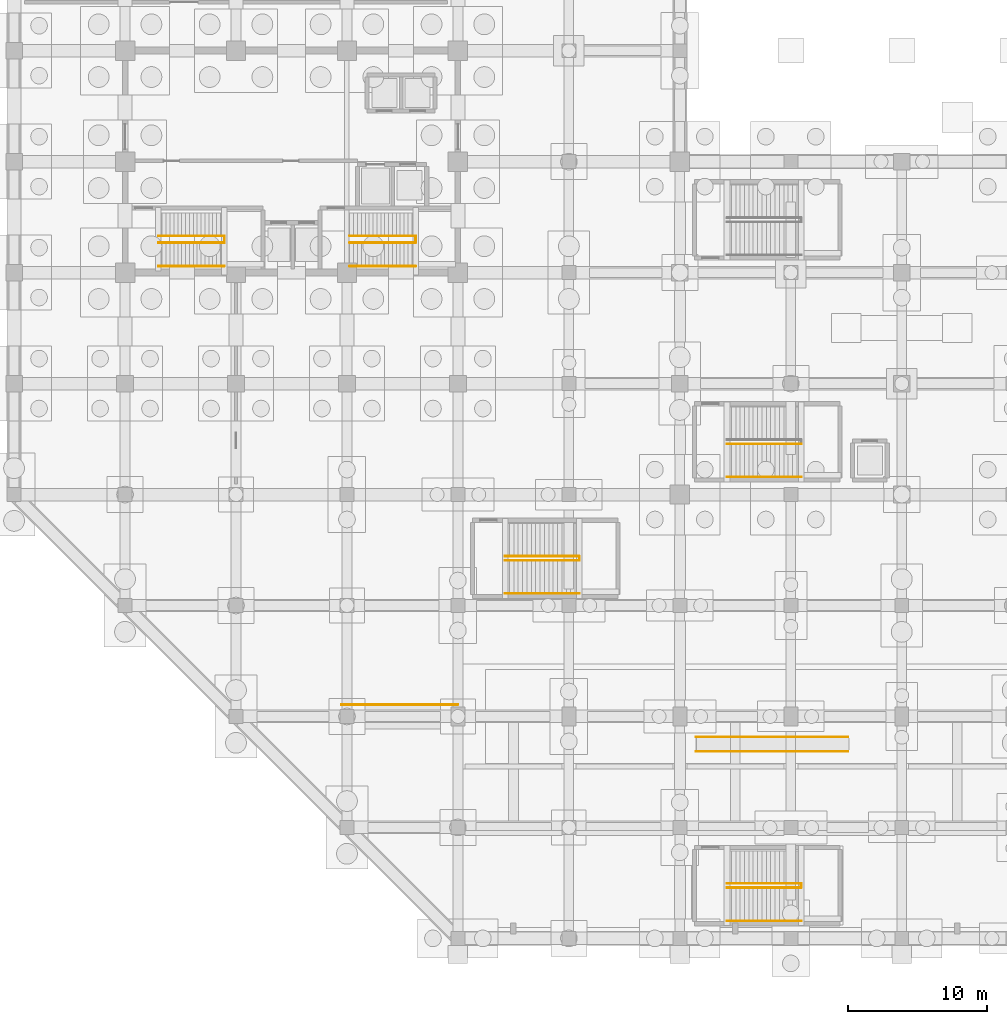
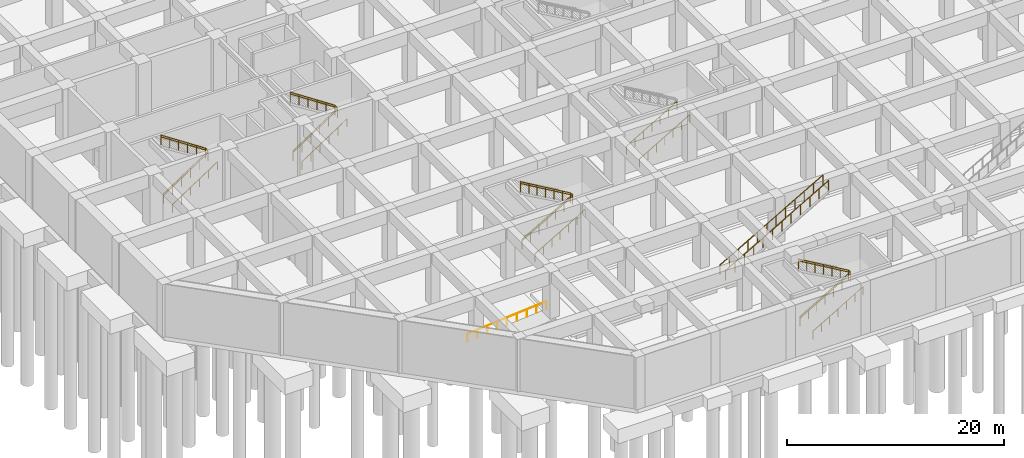
# One storey, part 22 of 26: 25 railings.
"""IFC4 building model written with IfcOpenShell, lengths in metres."""

from ifc_helpers import new_model, si_unit, direction, frame, origin, origin_2d, place, context, subcontext, project, spatial, circle, extrude, material, type_object, element, save


model = new_model("IFC4")

# Units and contexts
model_context = context("Model", 3, precision=1e-05, world=origin(), true_north=direction((0.0, 1.0)))
body_context = subcontext(model_context, "Body", "Model", "MODEL_VIEW")
ifc_project = project(units=[si_unit("LENGTHUNIT", "METRE"), si_unit("AREAUNIT", "SQUARE_METRE"), si_unit("VOLUMEUNIT", "CUBIC_METRE"), si_unit("PLANEANGLEUNIT", "RADIAN"), si_unit("MASSUNIT", "GRAM", prefix="KILO")], contexts=[model_context])

# Site, building, storey
site_placement = place(None, origin())
site = spatial("IfcSite", under=ifc_project, at=site_placement, CompositionType="ELEMENT")
building_placement = place(site_placement, origin())
building = spatial("IfcBuilding", under=site, at=building_placement, Name="Varnela Railside Interchange", CompositionType="ELEMENT")
storey_placement = place(building_placement, frame((0.0, 0.0, -12.60009765625)))
storey = spatial("IfcBuildingStorey", under=building, at=storey_placement, Name="B2", CompositionType="ELEMENT", Elevation=-12.60009765625)

# Railings
ifc_material_1 = material(Name="Glass laminated double", Category="glass")
railing_type_1 = type_object("IfcRailingType", Name="Concourse Atrium Balustrade BL-01", PredefinedType="BALUSTRADE", material=ifc_material_1)
railing_1_placement = place(storey_placement, frame((53.14990234375, 19.47998046875, 0.0)))
element("IfcRailing", 1, at=railing_1_placement, inside=storey, type_object=railing_type_1, Name="Escalator Inclined Balustrade ES1-S (RL-0030)", PredefinedType="BALUSTRADE", context=body_context, shape_type="SweptSolid", body=[
    extrude(circle(Radius=0.02392578125, at=origin_2d()), frame((0.0, 0.0, 1.09619140625), z_axis=(0.867173461285, 0.0, 0.498006212856), x_axis=(0.0, 1.0, 0.0)), (0.0, 0.0, 1.0), 12.650634765625),
    extrude(circle(Radius=0.02099609375, at=origin_2d()), origin(), (0.0, 0.0, 1.0), 1.072021484375),
    extrude(circle(Radius=0.02099609375, at=origin_2d()), frame((0.997314453125, 0.0, 0.57275390625)), (0.0, 0.0, 1.0), 1.072021484375),
    extrude(circle(Radius=0.02099609375, at=origin_2d()), frame((1.99462890625, 0.0, 1.1455078125)), (0.0, 0.0, 1.0), 1.072021484375),
    extrude(circle(Radius=0.02099609375, at=origin_2d()), frame((2.991943359375, 0.0, 1.71826171875)), (0.0, 0.0, 1.0), 1.072021484375),
    extrude(circle(Radius=0.02099609375, at=origin_2d()), frame((3.9892578125, 0.0, 2.291015625)), (0.0, 0.0, 1.0), 1.072021484375),
    extrude(circle(Radius=0.02099609375, at=origin_2d()), frame((4.986572265625, 0.0, 2.86376953125)), (0.0, 0.0, 1.0), 1.072021484375),
    extrude(circle(Radius=0.02099609375, at=origin_2d()), frame((5.983642578125, 0.0, 3.436279296875)), (0.0, 0.0, 1.0), 1.072021484375),
    extrude(circle(Radius=0.02099609375, at=origin_2d()), frame((6.98095703125, 0.0, 4.009033203125)), (0.0, 0.0, 1.0), 1.072021484375),
    extrude(circle(Radius=0.02099609375, at=origin_2d()), frame((7.978271484375, 0.0, 4.581787109375)), (0.0, 0.0, 1.0), 1.072021484375),
    extrude(circle(Radius=0.02099609375, at=origin_2d()), frame((8.9755859375, 0.0, 5.154541015625)), (0.0, 0.0, 1.0), 1.072021484375),
    extrude(circle(Radius=0.02099609375, at=origin_2d()), frame((9.972900390625, 0.0, 5.727294921875)), (0.0, 0.0, 1.0), 1.072021484375),
    extrude(circle(Radius=0.02099609375, at=origin_2d()), frame((10.97021484375, 0.0, 6.300048828125)), (0.0, 0.0, 1.0), 1.072021484375),
])
railing_2_placement = place(storey_placement, frame((53.14990234375, 20.52001953125, 0.0)))
element("IfcRailing", 2, at=railing_2_placement, inside=storey, type_object=railing_type_1, Name="Escalator Inclined Balustrade ES1-N (RL-0029)", PredefinedType="BALUSTRADE", context=body_context, shape_type="SweptSolid", body=[
    extrude(circle(Radius=0.02392578125, at=origin_2d()), frame((0.0, 0.0, 1.09619140625), z_axis=(0.867173461285, 0.0, 0.498006212856), x_axis=(0.0, 1.0, 0.0)), (0.0, 0.0, 1.0), 12.650634765625),
    extrude(circle(Radius=0.02099609375, at=origin_2d()), origin(), (0.0, 0.0, 1.0), 1.072021484375),
    extrude(circle(Radius=0.02099609375, at=origin_2d()), frame((0.997314453125, 0.0, 0.57275390625)), (0.0, 0.0, 1.0), 1.072021484375),
    extrude(circle(Radius=0.02099609375, at=origin_2d()), frame((1.99462890625, 0.0, 1.1455078125)), (0.0, 0.0, 1.0), 1.072021484375),
    extrude(circle(Radius=0.02099609375, at=origin_2d()), frame((2.991943359375, 0.0, 1.71826171875)), (0.0, 0.0, 1.0), 1.072021484375),
    extrude(circle(Radius=0.02099609375, at=origin_2d()), frame((3.9892578125, 0.0, 2.291015625)), (0.0, 0.0, 1.0), 1.072021484375),
    extrude(circle(Radius=0.02099609375, at=origin_2d()), frame((4.986572265625, 0.0, 2.86376953125)), (0.0, 0.0, 1.0), 1.072021484375),
    extrude(circle(Radius=0.02099609375, at=origin_2d()), frame((5.983642578125, 0.0, 3.436279296875)), (0.0, 0.0, 1.0), 1.072021484375),
    extrude(circle(Radius=0.02099609375, at=origin_2d()), frame((6.98095703125, 0.0, 4.009033203125)), (0.0, 0.0, 1.0), 1.072021484375),
    extrude(circle(Radius=0.02099609375, at=origin_2d()), frame((7.978271484375, 0.0, 4.581787109375)), (0.0, 0.0, 1.0), 1.072021484375),
    extrude(circle(Radius=0.02099609375, at=origin_2d()), frame((8.9755859375, 0.0, 5.154541015625)), (0.0, 0.0, 1.0), 1.072021484375),
    extrude(circle(Radius=0.02099609375, at=origin_2d()), frame((9.972900390625, 0.0, 5.727294921875)), (0.0, 0.0, 1.0), 1.072021484375),
    extrude(circle(Radius=0.02099609375, at=origin_2d()), frame((10.97021484375, 0.0, 6.300048828125)), (0.0, 0.0, 1.0), 1.072021484375),
])
ifc_material_2 = material(Name="Steel AR 350 (350 MPa)", Category="steel")
railing_type_2 = type_object("IfcRailingType", Name="Stair & Ramp Pitch Handrail HR-01", PredefinedType="HANDRAIL", material=ifc_material_2)
railing_3_placement = place(storey_placement, frame((14.39990234375, 56.14990234375, 0.0)))
element("IfcRailing", 3, at=railing_3_placement, inside=storey, type_object=railing_type_2, Name="Stair Handrail ST-T1 Flight 1 (RL-0057)", PredefinedType="HANDRAIL", context=body_context, shape_type="SweptSolid", body=[
    extrude(circle(Radius=0.02392578125, at=origin_2d()), frame((0.0, 0.0, 0.89599609375), z_axis=(0.83392091597, 0.0, 0.551883960546), x_axis=(0.0, 1.0, 0.0)), (0.0, 0.0, 1.0), 5.7080078125),
    extrude(circle(Radius=0.02099609375, at=origin_2d()), origin(), (0.0, 0.0, 1.0), 0.871826171875),
    extrude(circle(Radius=0.02099609375, at=origin_2d()), frame((0.951904296875, 0.0, 0.630126953125)), (0.0, 0.0, 1.0), 0.871826171875),
    extrude(circle(Radius=0.02099609375, at=origin_2d()), frame((1.904052734375, 0.0, 1.260009765625)), (0.0, 0.0, 1.0), 0.871826171875),
    extrude(circle(Radius=0.02099609375, at=origin_2d()), frame((2.85595703125, 0.0, 1.89013671875)), (0.0, 0.0, 1.0), 0.871826171875),
    extrude(circle(Radius=0.02099609375, at=origin_2d()), frame((3.80810546875, 0.0, 2.52001953125)), (0.0, 0.0, 1.0), 0.871826171875),
    extrude(circle(Radius=0.02099609375, at=origin_2d()), frame((4.760009765625, 0.0, 3.150146484375)), (0.0, 0.0, 1.0), 0.871826171875),
])
railing_4_placement = place(storey_placement, frame((19.159912109375, 56.64990234375, 3.150146484375)))
element("IfcRailing", 4, at=railing_4_placement, inside=storey, type_object=railing_type_2, Name="Stair Handrail ST-T1 Flight 2 (RL-0058)", PredefinedType="HANDRAIL", context=body_context, shape_type="SweptSolid", body=[
    extrude(circle(Radius=0.02392578125, at=origin_2d()), frame((0.0, 0.0, 0.89599609375), z_axis=(-0.833940600646, 0.0, 0.551854214983), x_axis=(0.0, -1.0, 0.0)), (0.0, 0.0, 1.0), 5.707763671875),
    extrude(circle(Radius=0.02099609375, at=origin_2d()), origin(), (0.0, 0.0, 1.0), 0.871826171875),
    extrude(circle(Radius=0.02099609375, at=origin_2d()), frame((-0.951904296875, 0.0, 0.6298828125)), (0.0, 0.0, 1.0), 0.871826171875),
    extrude(circle(Radius=0.02099609375, at=origin_2d()), frame((-1.904052734375, 0.0, 1.260009765625)), (0.0, 0.0, 1.0), 0.871826171875),
    extrude(circle(Radius=0.02099609375, at=origin_2d()), frame((-2.85595703125, 0.0, 1.889892578125)), (0.0, 0.0, 1.0), 0.871826171875),
    extrude(circle(Radius=0.02099609375, at=origin_2d()), frame((-3.80810546875, 0.0, 2.52001953125)), (0.0, 0.0, 1.0), 0.871826171875),
    extrude(circle(Radius=0.02099609375, at=origin_2d()), frame((-4.760009765625, 0.0, 3.14990234375)), (0.0, 0.0, 1.0), 0.871826171875),
])
railing_5_placement = place(storey_placement, frame((28.199951171875, 56.14990234375, 0.0)))
element("IfcRailing", 5, at=railing_5_placement, inside=storey, type_object=railing_type_2, Name="Stair Handrail ST-T2 Flight 1 (RL-0059)", PredefinedType="HANDRAIL", context=body_context, shape_type="SweptSolid", body=[
    extrude(circle(Radius=0.02392578125, at=origin_2d()), frame((0.0, 0.0, 0.89599609375), z_axis=(0.83392091597, 0.0, 0.551883960546), x_axis=(0.0, 1.0, 0.0)), (0.0, 0.0, 1.0), 5.7080078125),
    extrude(circle(Radius=0.02099609375, at=origin_2d()), origin(), (0.0, 0.0, 1.0), 0.871826171875),
    extrude(circle(Radius=0.02099609375, at=origin_2d()), frame((0.951904296875, 0.0, 0.630126953125)), (0.0, 0.0, 1.0), 0.871826171875),
    extrude(circle(Radius=0.02099609375, at=origin_2d()), frame((1.904052734375, 0.0, 1.260009765625)), (0.0, 0.0, 1.0), 0.871826171875),
    extrude(circle(Radius=0.02099609375, at=origin_2d()), frame((2.85595703125, 0.0, 1.89013671875)), (0.0, 0.0, 1.0), 0.871826171875),
    extrude(circle(Radius=0.02099609375, at=origin_2d()), frame((3.80810546875, 0.0, 2.52001953125)), (0.0, 0.0, 1.0), 0.871826171875),
    extrude(circle(Radius=0.02099609375, at=origin_2d()), frame((4.760009765625, 0.0, 3.150146484375)), (0.0, 0.0, 1.0), 0.871826171875),
])
railing_6_placement = place(storey_placement, frame((32.9599609375, 56.64990234375, 3.150146484375)))
element("IfcRailing", 6, at=railing_6_placement, inside=storey, type_object=railing_type_2, Name="Stair Handrail ST-T2 Flight 2 (RL-0060)", PredefinedType="HANDRAIL", context=body_context, shape_type="SweptSolid", body=[
    extrude(circle(Radius=0.02392578125, at=origin_2d()), frame((0.0, 0.0, 0.89599609375), z_axis=(-0.833940600646, 0.0, 0.551854214983), x_axis=(0.0, -1.0, 0.0)), (0.0, 0.0, 1.0), 5.707763671875),
    extrude(circle(Radius=0.02099609375, at=origin_2d()), origin(), (0.0, 0.0, 1.0), 0.871826171875),
    extrude(circle(Radius=0.02099609375, at=origin_2d()), frame((-0.951904296875, 0.0, 0.6298828125)), (0.0, 0.0, 1.0), 0.871826171875),
    extrude(circle(Radius=0.02099609375, at=origin_2d()), frame((-1.904052734375, 0.0, 1.260009765625)), (0.0, 0.0, 1.0), 0.871826171875),
    extrude(circle(Radius=0.02099609375, at=origin_2d()), frame((-2.85595703125, 0.0, 1.889892578125)), (0.0, 0.0, 1.0), 0.871826171875),
    extrude(circle(Radius=0.02099609375, at=origin_2d()), frame((-3.80810546875, 0.0, 2.52001953125)), (0.0, 0.0, 1.0), 0.871826171875),
    extrude(circle(Radius=0.02099609375, at=origin_2d()), frame((-4.760009765625, 0.0, 3.14990234375)), (0.0, 0.0, 1.0), 0.871826171875),
])
for number, where, name in (
    (7, (55.39990234375, 41.64990234375, 0.0), "Stair Handrail ST-C1 Flight 1 (RL-0035)"),
    (8, (39.39990234375, 33.25, 0.0), "Stair Handrail ST-M1 Flight 1 (RL-0049)"),
):
    element("IfcRailing", number, at=place(storey_placement, frame(where)), inside=storey, type_object=railing_type_2, Name=name, PredefinedType="HANDRAIL", context=body_context, shape_type="SweptSolid", body=[
        extrude(circle(Radius=0.02392578125, at=origin_2d()), frame((0.0, 0.0, 0.89599609375), z_axis=(0.861923102912, 0.0, 0.507039016908), x_axis=(0.0, 1.0, 0.0)), (0.0, 0.0, 1.0), 6.212890625),
        extrude(circle(Radius=0.02099609375, at=origin_2d()), origin(), (0.0, 0.0, 1.0), 0.871826171875),
        extrude(circle(Radius=0.02099609375, at=origin_2d()), frame((0.892578125, 0.0, 0.52490234375)), (0.0, 0.0, 1.0), 0.871826171875),
        extrude(circle(Radius=0.02099609375, at=origin_2d()), frame((1.784912109375, 0.0, 1.050048828125)), (0.0, 0.0, 1.0), 0.871826171875),
        extrude(circle(Radius=0.02099609375, at=origin_2d()), frame((2.677490234375, 0.0, 1.5751953125)), (0.0, 0.0, 1.0), 0.871826171875),
        extrude(circle(Radius=0.02099609375, at=origin_2d()), frame((3.570068359375, 0.0, 2.10009765625)), (0.0, 0.0, 1.0), 0.871826171875),
        extrude(circle(Radius=0.02099609375, at=origin_2d()), frame((4.46240234375, 0.0, 2.625)), (0.0, 0.0, 1.0), 0.871826171875),
        extrude(circle(Radius=0.02099609375, at=origin_2d()), frame((5.35498046875, 0.0, 3.150146484375)), (0.0, 0.0, 1.0), 0.871826171875),
    ])
railing_7_placement = place(storey_placement, frame((44.7548828125, 33.550048828125, 3.150146484375)))
element("IfcRailing", 9, at=railing_7_placement, inside=storey, type_object=railing_type_2, Name="Stair Handrail ST-M1 Flight 2 (RL-0050)", PredefinedType="HANDRAIL", context=body_context, shape_type="SweptSolid", body=[
    extrude(circle(Radius=0.02392578125, at=origin_2d()), frame((0.0, 0.0, 0.89599609375), z_axis=(-0.861940276329, 0.0, 0.507009822431), x_axis=(0.0, -1.0, 0.0)), (0.0, 0.0, 1.0), 6.212646484375),
    extrude(circle(Radius=0.02099609375, at=origin_2d()), origin(), (0.0, 0.0, 1.0), 0.871826171875),
    extrude(circle(Radius=0.02099609375, at=origin_2d()), frame((-0.892578125, 0.0, 0.52490234375)), (0.0, 0.0, 1.0), 0.871826171875),
    extrude(circle(Radius=0.02099609375, at=origin_2d()), frame((-1.784912109375, 0.0, 1.050048828125)), (0.0, 0.0, 1.0), 0.871826171875),
    extrude(circle(Radius=0.02099609375, at=origin_2d()), frame((-2.677490234375, 0.0, 1.574951171875)), (0.0, 0.0, 1.0), 0.871826171875),
    extrude(circle(Radius=0.02099609375, at=origin_2d()), frame((-3.570068359375, 0.0, 2.099853515625)), (0.0, 0.0, 1.0), 0.871826171875),
    extrude(circle(Radius=0.02099609375, at=origin_2d()), frame((-4.46240234375, 0.0, 2.625)), (0.0, 0.0, 1.0), 0.871826171875),
    extrude(circle(Radius=0.02099609375, at=origin_2d()), frame((-5.35498046875, 0.0, 3.14990234375)), (0.0, 0.0, 1.0), 0.871826171875),
])
railing_8_placement = place(storey_placement, frame((55.39990234375, 9.64990234375, 0.0)))
element("IfcRailing", 10, at=railing_8_placement, inside=storey, type_object=railing_type_2, Name="Stair Handrail ST-M3 Flight 1 (RL-0053)", PredefinedType="HANDRAIL", context=body_context, shape_type="SweptSolid", body=[
    extrude(circle(Radius=0.02392578125, at=origin_2d()), frame((0.0, 0.0, 0.89599609375), z_axis=(0.861923102912, 0.0, 0.507039016908), x_axis=(0.0, 1.0, 0.0)), (0.0, 0.0, 1.0), 6.212890625),
    extrude(circle(Radius=0.02099609375, at=origin_2d()), origin(), (0.0, 0.0, 1.0), 0.871826171875),
    extrude(circle(Radius=0.02099609375, at=origin_2d()), frame((0.892578125, 0.0, 0.52490234375)), (0.0, 0.0, 1.0), 0.871826171875),
    extrude(circle(Radius=0.02099609375, at=origin_2d()), frame((1.784912109375, 0.0, 1.050048828125)), (0.0, 0.0, 1.0), 0.871826171875),
    extrude(circle(Radius=0.02099609375, at=origin_2d()), frame((2.677490234375, 0.0, 1.5751953125)), (0.0, 0.0, 1.0), 0.871826171875),
    extrude(circle(Radius=0.02099609375, at=origin_2d()), frame((3.570068359375, 0.0, 2.10009765625)), (0.0, 0.0, 1.0), 0.871826171875),
    extrude(circle(Radius=0.02099609375, at=origin_2d()), frame((4.46240234375, 0.0, 2.625)), (0.0, 0.0, 1.0), 0.871826171875),
    extrude(circle(Radius=0.02099609375, at=origin_2d()), frame((5.35498046875, 0.0, 3.150146484375)), (0.0, 0.0, 1.0), 0.871826171875),
])
railing_9_placement = place(storey_placement, frame((60.7548828125, 9.949951171875, 3.150146484375)))
element("IfcRailing", 11, at=railing_9_placement, inside=storey, type_object=railing_type_2, Name="Stair Handrail ST-M3 Flight 2 (RL-0054)", PredefinedType="HANDRAIL", context=body_context, shape_type="SweptSolid", body=[
    extrude(circle(Radius=0.02392578125, at=origin_2d()), frame((0.0, 0.0, 0.89599609375), z_axis=(-0.861940276329, 0.0, 0.507009822431), x_axis=(0.0, -1.0, 0.0)), (0.0, 0.0, 1.0), 6.212646484375),
    extrude(circle(Radius=0.02099609375, at=origin_2d()), origin(), (0.0, 0.0, 1.0), 0.871826171875),
    extrude(circle(Radius=0.02099609375, at=origin_2d()), frame((-0.892578125, 0.0, 0.52490234375)), (0.0, 0.0, 1.0), 0.871826171875),
    extrude(circle(Radius=0.02099609375, at=origin_2d()), frame((-1.784912109375, 0.0, 1.050048828125)), (0.0, 0.0, 1.0), 0.871826171875),
    extrude(circle(Radius=0.02099609375, at=origin_2d()), frame((-2.677490234375, 0.0, 1.574951171875)), (0.0, 0.0, 1.0), 0.871826171875),
    extrude(circle(Radius=0.02099609375, at=origin_2d()), frame((-3.570068359375, 0.0, 2.099853515625)), (0.0, 0.0, 1.0), 0.871826171875),
    extrude(circle(Radius=0.02099609375, at=origin_2d()), frame((-4.46240234375, 0.0, 2.625)), (0.0, 0.0, 1.0), 0.871826171875),
    extrude(circle(Radius=0.02099609375, at=origin_2d()), frame((-5.35498046875, 0.0, 3.14990234375)), (0.0, 0.0, 1.0), 0.871826171875),
])
railing_10_placement = place(storey_placement, frame((27.60009765625, 22.85009765625, 0.0)))
element("IfcRailing", 12, at=railing_10_placement, inside=storey, type_object=railing_type_2, Name="Metro Platform Ramp Handrail pltI-W (RL-0064)", PredefinedType="HANDRAIL", context=body_context, shape_type="SweptSolid", body=[
    extrude(circle(Radius=0.02392578125, at=origin_2d()), frame((0.0, 0.0, 0.89599609375), z_axis=(0.996543760423, 0.0, 0.083069450238), x_axis=(0.0, 1.0, 0.0)), (0.0, 0.0, 1.0), 8.428955078125),
    extrude(circle(Radius=0.02099609375, at=origin_2d()), origin(), (0.0, 0.0, 1.0), 0.871826171875),
    extrude(circle(Radius=0.02099609375, at=origin_2d()), frame((1.050048828125, 0.0, 0.08740234375)), (0.0, 0.0, 1.0), 0.871826171875),
    extrude(circle(Radius=0.02099609375, at=origin_2d()), frame((2.10009765625, 0.0, 0.175048828125)), (0.0, 0.0, 1.0), 0.871826171875),
    extrude(circle(Radius=0.02099609375, at=origin_2d()), frame((3.14990234375, 0.0, 0.2626953125)), (0.0, 0.0, 1.0), 0.871826171875),
    extrude(circle(Radius=0.02099609375, at=origin_2d()), frame((4.199951171875, 0.0, 0.35009765625)), (0.0, 0.0, 1.0), 0.871826171875),
    extrude(circle(Radius=0.02099609375, at=origin_2d()), frame((5.25, 0.0, 0.4375)), (0.0, 0.0, 1.0), 0.871826171875),
    extrude(circle(Radius=0.02099609375, at=origin_2d()), frame((6.2998046875, 0.0, 0.525146484375)), (0.0, 0.0, 1.0), 0.871826171875),
    extrude(circle(Radius=0.02099609375, at=origin_2d()), frame((7.349853515625, 0.0, 0.61279296875)), (0.0, 0.0, 1.0), 0.871826171875),
    extrude(circle(Radius=0.02099609375, at=origin_2d()), frame((8.39990234375, 0.0, 0.7001953125)), (0.0, 0.0, 1.0), 0.871826171875),
])
railing_type_3 = type_object("IfcRailingType", Name="Stair Well & Landing Guard GR-02", PredefinedType="GUARDRAIL", material=ifc_material_2)
railing_11_placement = place(storey_placement, frame((14.39990234375, 56.14990234375, 0.0)))
element("IfcRailing", 13, at=railing_11_placement, inside=storey, type_object=railing_type_3, Name="Stair Guard ST-T1 Half-Landing (RL-0023)", PredefinedType="GUARDRAIL", context=body_context, shape_type="SweptSolid", body=[
    extrude(circle(Radius=0.02392578125, at=origin_2d()), frame((0.0, 0.0, 1.09619140625), z_axis=(0.83392091597, 0.0, 0.551883960546), x_axis=(0.0, 1.0, 0.0)), (0.0, 0.0, 1.0), 5.7080078125),
    extrude(circle(Radius=0.02392578125, at=origin_2d()), frame((4.760009765625, 0.0, 4.24609375), z_axis=(0.0, 1.0, 0.0), x_axis=(-1.0, 0.0, 0.0)), (0.0, 0.0, 1.0), 0.5),
    extrude(circle(Radius=0.02099609375, at=origin_2d()), origin(), (0.0, 0.0, 1.0), 1.072021484375),
    extrude(circle(Radius=0.02099609375, at=origin_2d()), frame((0.951904296875, 0.0, 0.630126953125)), (0.0, 0.0, 1.0), 1.072021484375),
    extrude(circle(Radius=0.02099609375, at=origin_2d()), frame((1.904052734375, 0.0, 1.260009765625)), (0.0, 0.0, 1.0), 1.072021484375),
    extrude(circle(Radius=0.02099609375, at=origin_2d()), frame((2.85595703125, 0.0, 1.89013671875)), (0.0, 0.0, 1.0), 1.072021484375),
    extrude(circle(Radius=0.02099609375, at=origin_2d()), frame((3.80810546875, 0.0, 2.52001953125)), (0.0, 0.0, 1.0), 1.072021484375),
    extrude(circle(Radius=0.02099609375, at=origin_2d()), frame((4.760009765625, 0.0, 3.150146484375)), (0.0, 0.0, 1.0), 1.072021484375),
    extrude(circle(Radius=0.02099609375, at=origin_2d()), frame((4.760009765625, 0.5, 3.150146484375)), (0.0, 0.0, 1.0), 1.072021484375),
])
railing_12_placement = place(storey_placement, frame((19.159912109375, 56.64990234375, 3.150146484375)))
element("IfcRailing", 14, at=railing_12_placement, inside=storey, type_object=railing_type_3, Name="Stair Guard ST-T1 Upper Flight (RL-0024)", PredefinedType="GUARDRAIL", context=body_context, shape_type="SweptSolid", body=[
    extrude(circle(Radius=0.02392578125, at=origin_2d()), frame((0.0, 0.0, 1.09619140625), z_axis=(-0.833940600646, 0.0, 0.551854214983), x_axis=(0.0, -1.0, 0.0)), (0.0, 0.0, 1.0), 5.707763671875),
    extrude(circle(Radius=0.02099609375, at=origin_2d()), origin(), (0.0, 0.0, 1.0), 1.072021484375),
    extrude(circle(Radius=0.02099609375, at=origin_2d()), frame((-0.951904296875, 0.0, 0.6298828125)), (0.0, 0.0, 1.0), 1.072021484375),
    extrude(circle(Radius=0.02099609375, at=origin_2d()), frame((-1.904052734375, 0.0, 1.260009765625)), (0.0, 0.0, 1.0), 1.072021484375),
    extrude(circle(Radius=0.02099609375, at=origin_2d()), frame((-2.85595703125, 0.0, 1.889892578125)), (0.0, 0.0, 1.0), 1.072021484375),
    extrude(circle(Radius=0.02099609375, at=origin_2d()), frame((-3.80810546875, 0.0, 2.52001953125)), (0.0, 0.0, 1.0), 1.072021484375),
    extrude(circle(Radius=0.02099609375, at=origin_2d()), frame((-4.760009765625, 0.0, 3.14990234375)), (0.0, 0.0, 1.0), 1.072021484375),
])
railing_13_placement = place(storey_placement, frame((28.199951171875, 56.14990234375, 0.0)))
element("IfcRailing", 15, at=railing_13_placement, inside=storey, type_object=railing_type_3, Name="Stair Guard ST-T2 Half-Landing (RL-0025)", PredefinedType="GUARDRAIL", context=body_context, shape_type="SweptSolid", body=[
    extrude(circle(Radius=0.02392578125, at=origin_2d()), frame((0.0, 0.0, 1.09619140625), z_axis=(0.83392091597, 0.0, 0.551883960546), x_axis=(0.0, 1.0, 0.0)), (0.0, 0.0, 1.0), 5.7080078125),
    extrude(circle(Radius=0.02392578125, at=origin_2d()), frame((4.760009765625, 0.0, 4.24609375), z_axis=(0.0, 1.0, 0.0), x_axis=(-1.0, 0.0, 0.0)), (0.0, 0.0, 1.0), 0.5),
    extrude(circle(Radius=0.02099609375, at=origin_2d()), origin(), (0.0, 0.0, 1.0), 1.072021484375),
    extrude(circle(Radius=0.02099609375, at=origin_2d()), frame((0.951904296875, 0.0, 0.630126953125)), (0.0, 0.0, 1.0), 1.072021484375),
    extrude(circle(Radius=0.02099609375, at=origin_2d()), frame((1.904052734375, 0.0, 1.260009765625)), (0.0, 0.0, 1.0), 1.072021484375),
    extrude(circle(Radius=0.02099609375, at=origin_2d()), frame((2.85595703125, 0.0, 1.89013671875)), (0.0, 0.0, 1.0), 1.072021484375),
    extrude(circle(Radius=0.02099609375, at=origin_2d()), frame((3.80810546875, 0.0, 2.52001953125)), (0.0, 0.0, 1.0), 1.072021484375),
    extrude(circle(Radius=0.02099609375, at=origin_2d()), frame((4.760009765625, 0.0, 3.150146484375)), (0.0, 0.0, 1.0), 1.072021484375),
    extrude(circle(Radius=0.02099609375, at=origin_2d()), frame((4.760009765625, 0.5, 3.150146484375)), (0.0, 0.0, 1.0), 1.072021484375),
])
railing_14_placement = place(storey_placement, frame((32.9599609375, 56.64990234375, 3.150146484375)))
element("IfcRailing", 16, at=railing_14_placement, inside=storey, type_object=railing_type_3, Name="Stair Guard ST-T2 Upper Flight (RL-0026)", PredefinedType="GUARDRAIL", context=body_context, shape_type="SweptSolid", body=[
    extrude(circle(Radius=0.02392578125, at=origin_2d()), frame((0.0, 0.0, 1.09619140625), z_axis=(-0.833940600646, 0.0, 0.551854214983), x_axis=(0.0, -1.0, 0.0)), (0.0, 0.0, 1.0), 5.707763671875),
    extrude(circle(Radius=0.02099609375, at=origin_2d()), origin(), (0.0, 0.0, 1.0), 1.072021484375),
    extrude(circle(Radius=0.02099609375, at=origin_2d()), frame((-0.951904296875, 0.0, 0.6298828125)), (0.0, 0.0, 1.0), 1.072021484375),
    extrude(circle(Radius=0.02099609375, at=origin_2d()), frame((-1.904052734375, 0.0, 1.260009765625)), (0.0, 0.0, 1.0), 1.072021484375),
    extrude(circle(Radius=0.02099609375, at=origin_2d()), frame((-2.85595703125, 0.0, 1.889892578125)), (0.0, 0.0, 1.0), 1.072021484375),
    extrude(circle(Radius=0.02099609375, at=origin_2d()), frame((-3.80810546875, 0.0, 2.52001953125)), (0.0, 0.0, 1.0), 1.072021484375),
    extrude(circle(Radius=0.02099609375, at=origin_2d()), frame((-4.760009765625, 0.0, 3.14990234375)), (0.0, 0.0, 1.0), 1.072021484375),
])
railing_15_placement = place(storey_placement, frame((39.39990234375, 33.25, 0.0)))
element("IfcRailing", 17, at=railing_15_placement, inside=storey, type_object=railing_type_3, Name="Stair Guard ST-M1 Half-Landing (RL-0015)", PredefinedType="GUARDRAIL", context=body_context, shape_type="SweptSolid", body=[
    extrude(circle(Radius=0.02392578125, at=origin_2d()), frame((0.0, 0.0, 1.09619140625), z_axis=(0.861923102912, 0.0, 0.507039016908), x_axis=(0.0, 1.0, 0.0)), (0.0, 0.0, 1.0), 6.212890625),
    extrude(circle(Radius=0.02392578125, at=origin_2d()), frame((5.35498046875, 0.0, 4.24609375), z_axis=(0.0, 1.0, 0.0), x_axis=(-1.0, 0.0, 0.0)), (0.0, 0.0, 1.0), 0.300048828125),
    extrude(circle(Radius=0.02099609375, at=origin_2d()), origin(), (0.0, 0.0, 1.0), 1.072021484375),
    extrude(circle(Radius=0.02099609375, at=origin_2d()), frame((0.892578125, 0.0, 0.52490234375)), (0.0, 0.0, 1.0), 1.072021484375),
    extrude(circle(Radius=0.02099609375, at=origin_2d()), frame((1.784912109375, 0.0, 1.050048828125)), (0.0, 0.0, 1.0), 1.072021484375),
    extrude(circle(Radius=0.02099609375, at=origin_2d()), frame((2.677490234375, 0.0, 1.5751953125)), (0.0, 0.0, 1.0), 1.072021484375),
    extrude(circle(Radius=0.02099609375, at=origin_2d()), frame((3.570068359375, 0.0, 2.10009765625)), (0.0, 0.0, 1.0), 1.072021484375),
    extrude(circle(Radius=0.02099609375, at=origin_2d()), frame((4.46240234375, 0.0, 2.625)), (0.0, 0.0, 1.0), 1.072021484375),
    extrude(circle(Radius=0.02099609375, at=origin_2d()), frame((5.35498046875, 0.0, 3.150146484375)), (0.0, 0.0, 1.0), 1.072021484375),
    extrude(circle(Radius=0.02099609375, at=origin_2d()), frame((5.35498046875, 0.300048828125, 3.150146484375)), (0.0, 0.0, 1.0), 1.072021484375),
])
railing_16_placement = place(storey_placement, frame((44.7548828125, 33.550048828125, 3.150146484375)))
element("IfcRailing", 18, at=railing_16_placement, inside=storey, type_object=railing_type_3, Name="Stair Guard ST-M1 Upper Flight (RL-0016)", PredefinedType="GUARDRAIL", context=body_context, shape_type="SweptSolid", body=[
    extrude(circle(Radius=0.02392578125, at=origin_2d()), frame((0.0, 0.0, 1.09619140625), z_axis=(-0.861940276329, 0.0, 0.507009822431), x_axis=(0.0, -1.0, 0.0)), (0.0, 0.0, 1.0), 6.212646484375),
    extrude(circle(Radius=0.02099609375, at=origin_2d()), origin(), (0.0, 0.0, 1.0), 1.072021484375),
    extrude(circle(Radius=0.02099609375, at=origin_2d()), frame((-0.892578125, 0.0, 0.52490234375)), (0.0, 0.0, 1.0), 1.072021484375),
    extrude(circle(Radius=0.02099609375, at=origin_2d()), frame((-1.784912109375, 0.0, 1.050048828125)), (0.0, 0.0, 1.0), 1.072021484375),
    extrude(circle(Radius=0.02099609375, at=origin_2d()), frame((-2.677490234375, 0.0, 1.574951171875)), (0.0, 0.0, 1.0), 1.072021484375),
    extrude(circle(Radius=0.02099609375, at=origin_2d()), frame((-3.570068359375, 0.0, 2.099853515625)), (0.0, 0.0, 1.0), 1.072021484375),
    extrude(circle(Radius=0.02099609375, at=origin_2d()), frame((-4.46240234375, 0.0, 2.625)), (0.0, 0.0, 1.0), 1.072021484375),
    extrude(circle(Radius=0.02099609375, at=origin_2d()), frame((-5.35498046875, 0.0, 3.14990234375)), (0.0, 0.0, 1.0), 1.072021484375),
])
railing_17_placement = place(storey_placement, frame((55.39990234375, 9.64990234375, 0.0)))
element("IfcRailing", 19, at=railing_17_placement, inside=storey, type_object=railing_type_3, Name="Stair Guard ST-M3 Half-Landing (RL-0019)", PredefinedType="GUARDRAIL", context=body_context, shape_type="SweptSolid", body=[
    extrude(circle(Radius=0.02392578125, at=origin_2d()), frame((0.0, 0.0, 1.09619140625), z_axis=(0.861923102912, 0.0, 0.507039016908), x_axis=(0.0, 1.0, 0.0)), (0.0, 0.0, 1.0), 6.212890625),
    extrude(circle(Radius=0.02392578125, at=origin_2d()), frame((5.35498046875, 0.0, 4.24609375), z_axis=(0.0, 1.0, 0.0), x_axis=(-1.0, 0.0, 0.0)), (0.0, 0.0, 1.0), 0.300048828125),
    extrude(circle(Radius=0.02099609375, at=origin_2d()), origin(), (0.0, 0.0, 1.0), 1.072021484375),
    extrude(circle(Radius=0.02099609375, at=origin_2d()), frame((0.892578125, 0.0, 0.52490234375)), (0.0, 0.0, 1.0), 1.072021484375),
    extrude(circle(Radius=0.02099609375, at=origin_2d()), frame((1.784912109375, 0.0, 1.050048828125)), (0.0, 0.0, 1.0), 1.072021484375),
    extrude(circle(Radius=0.02099609375, at=origin_2d()), frame((2.677490234375, 0.0, 1.5751953125)), (0.0, 0.0, 1.0), 1.072021484375),
    extrude(circle(Radius=0.02099609375, at=origin_2d()), frame((3.570068359375, 0.0, 2.10009765625)), (0.0, 0.0, 1.0), 1.072021484375),
    extrude(circle(Radius=0.02099609375, at=origin_2d()), frame((4.46240234375, 0.0, 2.625)), (0.0, 0.0, 1.0), 1.072021484375),
    extrude(circle(Radius=0.02099609375, at=origin_2d()), frame((5.35498046875, 0.0, 3.150146484375)), (0.0, 0.0, 1.0), 1.072021484375),
    extrude(circle(Radius=0.02099609375, at=origin_2d()), frame((5.35498046875, 0.300048828125, 3.150146484375)), (0.0, 0.0, 1.0), 1.072021484375),
])
railing_18_placement = place(storey_placement, frame((60.7548828125, 9.949951171875, 3.150146484375)))
element("IfcRailing", 20, at=railing_18_placement, inside=storey, type_object=railing_type_3, Name="Stair Guard ST-M3 Upper Flight (RL-0020)", PredefinedType="GUARDRAIL", context=body_context, shape_type="SweptSolid", body=[
    extrude(circle(Radius=0.02392578125, at=origin_2d()), frame((0.0, 0.0, 1.09619140625), z_axis=(-0.861940276329, 0.0, 0.507009822431), x_axis=(0.0, -1.0, 0.0)), (0.0, 0.0, 1.0), 6.212646484375),
    extrude(circle(Radius=0.02099609375, at=origin_2d()), origin(), (0.0, 0.0, 1.0), 1.072021484375),
    extrude(circle(Radius=0.02099609375, at=origin_2d()), frame((-0.892578125, 0.0, 0.52490234375)), (0.0, 0.0, 1.0), 1.072021484375),
    extrude(circle(Radius=0.02099609375, at=origin_2d()), frame((-1.784912109375, 0.0, 1.050048828125)), (0.0, 0.0, 1.0), 1.072021484375),
    extrude(circle(Radius=0.02099609375, at=origin_2d()), frame((-2.677490234375, 0.0, 1.574951171875)), (0.0, 0.0, 1.0), 1.072021484375),
    extrude(circle(Radius=0.02099609375, at=origin_2d()), frame((-3.570068359375, 0.0, 2.099853515625)), (0.0, 0.0, 1.0), 1.072021484375),
    extrude(circle(Radius=0.02099609375, at=origin_2d()), frame((-4.46240234375, 0.0, 2.625)), (0.0, 0.0, 1.0), 1.072021484375),
    extrude(circle(Radius=0.02099609375, at=origin_2d()), frame((-5.35498046875, 0.0, 3.14990234375)), (0.0, 0.0, 1.0), 1.072021484375),
])
railing_type_4 = type_object("IfcRailingType", Name="Wall-Mounted Stair Handrail HR-02", PredefinedType="HANDRAIL", material=ifc_material_2)
for number, where, name in (
    (21, (14.39990234375, 54.4599609375, 0.0), "Wall Handrail ST-T1 Flight 1 (RL-0077)"),
    (22, (28.199951171875, 54.4599609375, 0.0), "Wall Handrail ST-T2 Flight 1 (RL-0078)"),
):
    element("IfcRailing", number, at=place(storey_placement, frame(where)), inside=storey, type_object=railing_type_4, Name=name, PredefinedType="HANDRAIL", context=body_context, shape_type="SweptSolid", body=[
        extrude(circle(Radius=0.02392578125, at=origin_2d()), frame((0.0, 0.0, 0.89599609375), z_axis=(0.83392091597, 0.0, 0.551883960546), x_axis=(0.0, 1.0, 0.0)), (0.0, 0.0, 1.0), 5.7080078125),
        extrude(circle(Radius=0.02099609375, at=origin_2d()), origin(), (0.0, 0.0, 1.0), 0.871826171875),
        extrude(circle(Radius=0.02099609375, at=origin_2d()), frame((0.951904296875, 0.0, 0.630126953125)), (0.0, 0.0, 1.0), 0.871826171875),
        extrude(circle(Radius=0.02099609375, at=origin_2d()), frame((1.904052734375, 0.0, 1.260009765625)), (0.0, 0.0, 1.0), 0.871826171875),
        extrude(circle(Radius=0.02099609375, at=origin_2d()), frame((2.85595703125, 0.0, 1.89013671875)), (0.0, 0.0, 1.0), 0.871826171875),
        extrude(circle(Radius=0.02099609375, at=origin_2d()), frame((3.80810546875, 0.0, 2.52001953125)), (0.0, 0.0, 1.0), 0.871826171875),
        extrude(circle(Radius=0.02099609375, at=origin_2d()), frame((4.760009765625, 0.0, 3.150146484375)), (0.0, 0.0, 1.0), 0.871826171875),
    ])
for number, where, name in (
    (23, (55.39990234375, 39.260009765625, 0.0), "Wall Handrail ST-C1 Flight 1 (RL-0066)"),
    (24, (39.39990234375, 30.860107421875, 0.0), "Wall Handrail ST-M1 Flight 1 (RL-0073)"),
    (25, (55.39990234375, 7.260009765625, 0.0), "Wall Handrail ST-M3 Flight 1 (RL-0075)"),
):
    element("IfcRailing", number, at=place(storey_placement, frame(where)), inside=storey, type_object=railing_type_4, Name=name, PredefinedType="HANDRAIL", context=body_context, shape_type="SweptSolid", body=[
        extrude(circle(Radius=0.02392578125, at=origin_2d()), frame((0.0, 0.0, 0.89599609375), z_axis=(0.861923102912, 0.0, 0.507039016908), x_axis=(0.0, 1.0, 0.0)), (0.0, 0.0, 1.0), 6.212890625),
        extrude(circle(Radius=0.02099609375, at=origin_2d()), origin(), (0.0, 0.0, 1.0), 0.871826171875),
        extrude(circle(Radius=0.02099609375, at=origin_2d()), frame((0.892578125, 0.0, 0.52490234375)), (0.0, 0.0, 1.0), 0.871826171875),
        extrude(circle(Radius=0.02099609375, at=origin_2d()), frame((1.784912109375, 0.0, 1.050048828125)), (0.0, 0.0, 1.0), 0.871826171875),
        extrude(circle(Radius=0.02099609375, at=origin_2d()), frame((2.677490234375, 0.0, 1.5751953125)), (0.0, 0.0, 1.0), 0.871826171875),
        extrude(circle(Radius=0.02099609375, at=origin_2d()), frame((3.570068359375, 0.0, 2.10009765625)), (0.0, 0.0, 1.0), 0.871826171875),
        extrude(circle(Radius=0.02099609375, at=origin_2d()), frame((4.46240234375, 0.0, 2.625)), (0.0, 0.0, 1.0), 0.871826171875),
        extrude(circle(Radius=0.02099609375, at=origin_2d()), frame((5.35498046875, 0.0, 3.150146484375)), (0.0, 0.0, 1.0), 0.871826171875),
    ])

save(model, "model.ifc")
